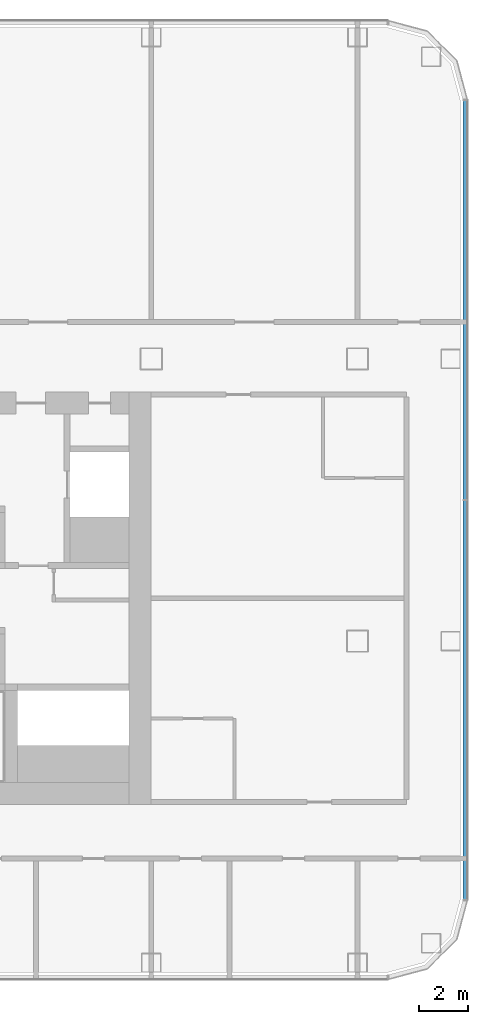
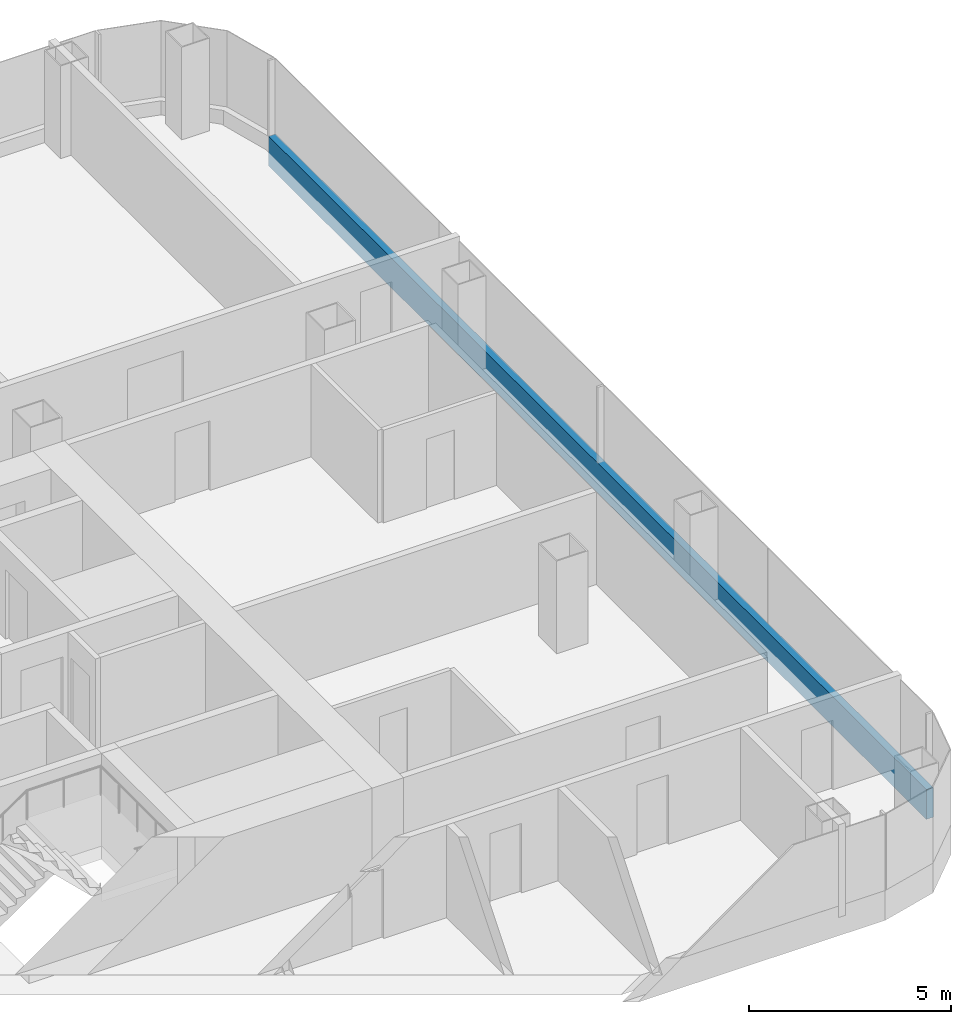
# One storey, part 12 of 29: 1 member, 1 element without a shape of its own.
"""IFC4 building model written with IfcOpenShell, lengths in metres."""

from ifc_helpers import new_model, si_unit, direction, frame, origin, origin_2d, place, context, subcontext, project, spatial, rectangle, extrude, material, layer, layer_set, material_profile, profile_set, type_object, element, aggregate, save


model = new_model("IFC4")

# Units and contexts
model_context = context("Model", 3, precision=1e-05, world=origin(), true_north=direction((0.0, 1.0)))
body_context = subcontext(model_context, "Body", "Model", "MODEL_VIEW")
ifc_project = project(units=[si_unit("LENGTHUNIT", "METRE"), si_unit("AREAUNIT", "SQUARE_METRE"), si_unit("VOLUMEUNIT", "CUBIC_METRE"), si_unit("PLANEANGLEUNIT", "RADIAN"), si_unit("MASSUNIT", "GRAM", prefix="KILO")], contexts=[model_context])

# Site, building, storey
site_placement = place(None, origin())
site = spatial("IfcSite", under=ifc_project, at=site_placement, CompositionType="ELEMENT")
building_placement = place(site_placement, origin())
building = spatial("IfcBuilding", under=site, at=building_placement, Name="Hakoniwa Tower and Hamabe Station Hall", CompositionType="ELEMENT")
storey_placement = place(building_placement, frame((0.0, 0.0, 101.0)))
storey = spatial("IfcBuildingStorey", under=building, at=storey_placement, Name="L28", CompositionType="ELEMENT", Elevation=101.0)

# Curtain wall, member
ifc_material_1 = material(Name="Dark low-e laminated glass", Category="glass")
ifc_layer = layer(ifc_material_1, 0.199951171875)
ifc_layer_set = layer_set([ifc_layer], Name="CW-1 UNITISED GUEST")
curtain_wall_type = type_object("IfcCurtainWallType", Name="CW-1 UNITISED GUEST", PredefinedType="NOTDEFINED", material=ifc_layer_set)
curtain_wall_placement = place(storey_placement, origin())
curtain_wall = element("IfcCurtainWall", 1, at=curtain_wall_placement, inside=storey, type_object=curtain_wall_type, Name="CW-1 curtain wall", PredefinedType="NOTDEFINED")
ifc_material_2 = material(Name="Aluminium 6063-T5 black anodised", Category="aluminium")
ifc_material_profile = material_profile(ifc_material_2, rectangle(XDim=0.199951171875, YDim=0.89990234375, at=origin_2d()), Name="CW SLAB-EDGE BAND 900X200")
ifc_profile_set = profile_set([ifc_material_profile], Name="Aluminium 6063-T5 black anodised")
member_type = type_object("IfcMemberType", Name="CW SLAB-EDGE BAND 900X200", PredefinedType="USERDEFINED", material=ifc_profile_set)
member_placement = place(storey_placement, frame((46.39990234375, -12.28955078125, -0.10009765625), z_axis=(0.0, 1.0, 0.0), x_axis=(-1.0, 0.0, 0.0)))
member = element("IfcMember", 2, at=member_placement, type_object=member_type, Name="CW-1 transom", ObjectType="TRANSOM", PredefinedType="USERDEFINED", context=body_context, shape_type="SweptSolid", body=[
    extrude(rectangle(XDim=0.199951171875, YDim=0.89990234375, at=origin_2d()), origin(), (0.0, 0.0, 1.0), 32.5791015625),
])
aggregate(curtain_wall, [member])

save(model, "model.ifc")
